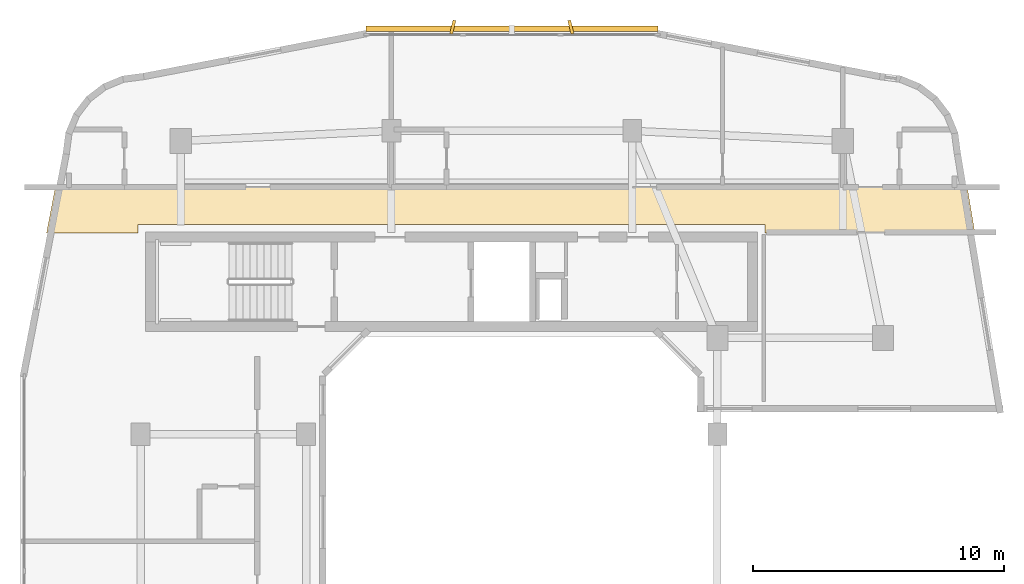
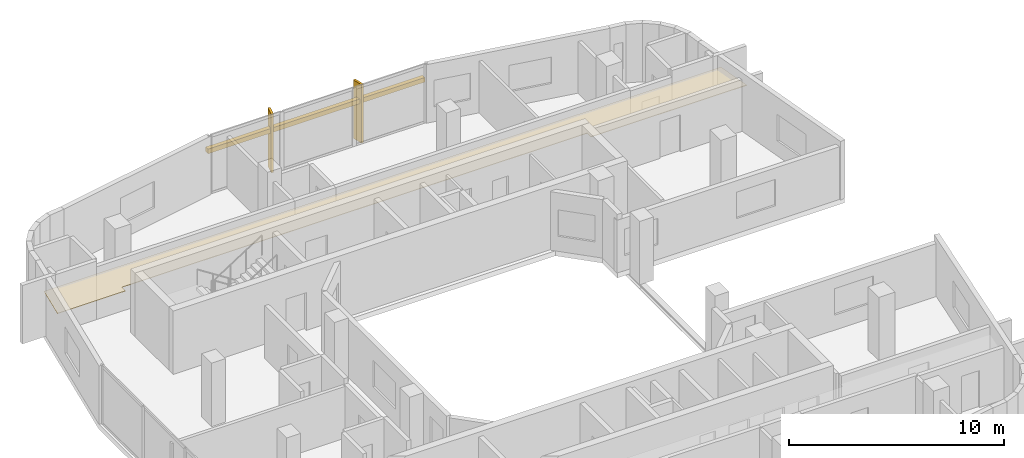
# One storey, part 12 of 12: 3 shading devices, 1 covering.
"""IFC4 building model written with IfcOpenShell, lengths in metres."""

from ifc_helpers import new_model, si_unit, derived_unit, direction, frame, origin, origin_2d, place, context, subcontext, project, spatial, polyline, rectangle, outline, extrude, material, layer, layer_set, type_object, element, save


model = new_model("IFC4")

# Units and contexts
model_context = context("Model", 3, precision=1e-05, world=origin(), true_north=direction((0.0, 1.0)))
body_context = subcontext(model_context, "Body", "Model", "MODEL_VIEW")
ifc_project = project(units=[si_unit("LENGTHUNIT", "METRE"), si_unit("AREAUNIT", "SQUARE_METRE"), si_unit("VOLUMEUNIT", "CUBIC_METRE"), si_unit("PLANEANGLEUNIT", "RADIAN"), si_unit("MASSUNIT", "GRAM", prefix="KILO"), derived_unit("THERMALTRANSMITTANCEUNIT", [(si_unit("POWERUNIT", "WATT"), 1), (si_unit("LENGTHUNIT", "METRE"), -2), (si_unit("THERMODYNAMICTEMPERATUREUNIT", "KELVIN"), -1)])], contexts=[model_context])

# Site, building, storey
site_placement = place(None, origin())
site = spatial("IfcSite", under=ifc_project, at=site_placement, CompositionType="ELEMENT")
building_placement = place(site_placement, origin())
building = spatial("IfcBuilding", under=site, at=building_placement, Name="Kivonza Crest Hotel", CompositionType="ELEMENT")
storey_placement = place(building_placement, frame((0.0, 0.0, 184.699951171875)))
storey = spatial("IfcBuildingStorey", under=building, at=storey_placement, Name="L50", CompositionType="ELEMENT", Elevation=184.699951171875)

# Covering
ifc_material_1 = material(Name="Moisture-resistant gypsum plasterboard ceiling", Category="gypsum")
ifc_layer = layer(ifc_material_1, 0.030029296875)
ifc_layer_set = layer_set([ifc_layer], Name="Moisture-resistant gypsum plasterboard ceiling")
covering_type = type_object("IfcCoveringType", Name="CV-CEIL-GYP", PredefinedType="CEILING", material=ifc_layer_set)
covering_placement = place(storey_placement, frame((0.0, 0.0, 2.449951171875)))
element("IfcCovering", 1, at=covering_placement, inside=storey, type_object=covering_type, Name="L50 Hotel North Guest Corridor suspended ceiling", PredefinedType="CEILING", context=body_context, shape_type="SweptSolid", body=[
    extrude(outline(polyline([(2.806884765625, 38.389892578125), (2.447021484375, 36.52001953125), (6.10009765625, 36.52001953125), (6.10009765625, 36.860107421875), (31.10009765625, 36.860107421875), (31.10009765625, 36.52001953125), (39.465087890625, 36.52001953125), (39.156982421875, 38.389892578125), (2.806884765625, 38.389892578125)])), origin(), (0.0, 0.0, 1.0), 0.030029296875),
])

# Shading devices
ifc_material_2 = material(Name="Kiln-fired Nairobi red-ochre terracotta", Category="masonry")
shading_device_type_1 = type_object("IfcShadingDeviceType", Name="SH-BAGUETTE-300", PredefinedType="USERDEFINED", material=ifc_material_2)
shading_device_placement = place(storey_placement, frame((21.0, 44.679931640625, 2.19384765625), z_axis=(0.0, 0.0, 1.0), x_axis=(-1.0, 0.0, 0.0)))
element("IfcShadingDevice", 2, at=shading_device_placement, inside=storey, type_object=shading_device_type_1, Name="L50 terracotta baguette screen CW-T1-L50-36", ObjectType="BAGUETTE", PredefinedType="USERDEFINED", context=body_context, shape_type="SweptSolid", body=[
    extrude(rectangle(XDim=11.639892578125, YDim=0.219970703125, at=origin_2d()), origin(), (0.0, 0.0, 1.0), 0.260009765625),
])
ifc_material_3 = material(Name="Kiln-fired terracotta over extruded aluminium spine", Category="masonry")
shading_device_type_2 = type_object("IfcShadingDeviceType", Name="SH-FIN-550", PredefinedType="USERDEFINED", material=ifc_material_3)
for number, where, z_axis, x_axis, name in (
    (3, (23.35205078125, 44.739990234375, 0.0), (0.0, 0.0, 1.0), (-0.970295726276, -0.2419218956, 0.0), "L50 vertical solar shading fin CW-T1-L50-36-1"),
    (4, (18.64794921875, 44.739990234375, 0.0), (0.0, 0.0, 1.0), (-0.970295726276, 0.2419218956, 0.0), "L50 vertical solar shading fin CW-T1-L50-36-2"),
):
    element("IfcShadingDevice", number, at=place(storey_placement, frame(where, z_axis=z_axis, x_axis=x_axis)), inside=storey, type_object=shading_device_type_2, Name=name, ObjectType="FIN", PredefinedType="USERDEFINED", context=body_context, shape_type="SweptSolid", body=[
        extrude(rectangle(XDim=0.1201171875, YDim=0.550048828125, at=origin_2d()), origin(), (0.0, 0.0, 1.0), 3.320068359375),
    ])

save(model, "model.ifc")
